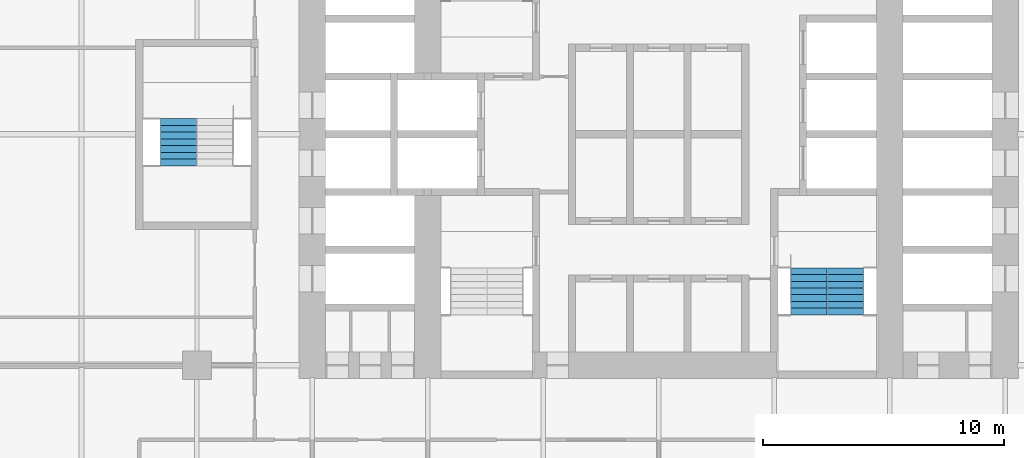
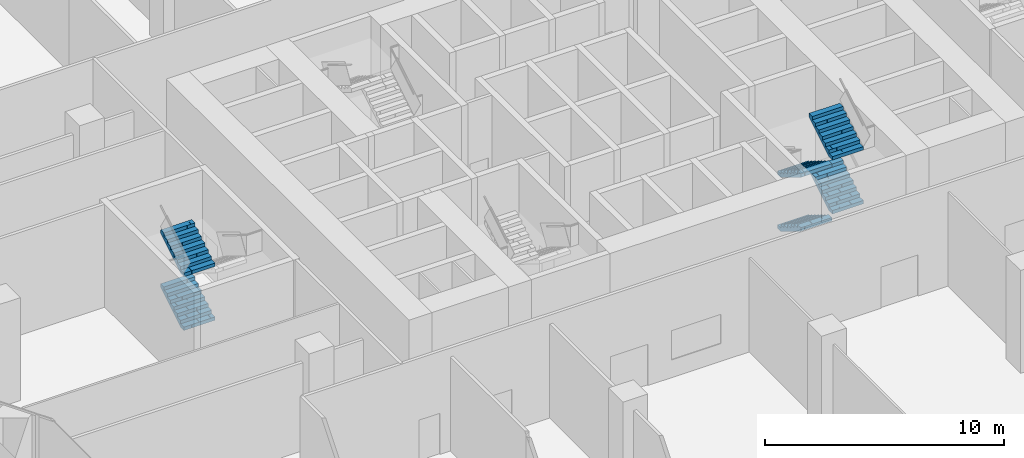
# One storey, part 23 of 29: 6 stair flights, 2 elements without a shape of their own.
"""IFC4 building model written with IfcOpenShell, lengths in metres."""

from ifc_helpers import new_model, si_unit, direction, frame, origin, place, context, subcontext, project, spatial, polyline, outline, extrude, material, type_object, element, aggregate, save


model = new_model("IFC4")

# Units and contexts
model_context = context("Model", 3, precision=1e-05, world=origin(), true_north=direction((0.0, 1.0)))
body_context = subcontext(model_context, "Body", "Model", "MODEL_VIEW")
ifc_project = project(units=[si_unit("LENGTHUNIT", "METRE"), si_unit("AREAUNIT", "SQUARE_METRE"), si_unit("VOLUMEUNIT", "CUBIC_METRE"), si_unit("PLANEANGLEUNIT", "RADIAN"), si_unit("MASSUNIT", "GRAM", prefix="KILO")], contexts=[model_context])

# Site, building, storey
site_placement = place(None, origin())
site = spatial("IfcSite", under=ifc_project, at=site_placement, CompositionType="ELEMENT")
building_placement = place(site_placement, origin())
building = spatial("IfcBuilding", under=site, at=building_placement, Name="Kolab Exchange Tower", CompositionType="ELEMENT")
storey_placement = place(building_placement, frame((0.0, 0.0, 33.39990234375)))
storey = spatial("IfcBuildingStorey", under=building, at=storey_placement, Name="L06", CompositionType="ELEMENT", Elevation=33.39990234375)

# Stair, stair flights
ifc_material = material(Name="Concrete C50/60", Category="concrete")
stair_type_1 = type_object("IfcStairType", Name="STAIR ST2 RISER 171.9", PredefinedType="DOUBLE_RETURN_STAIR", material=ifc_material)
stair_1_placement = place(storey_placement, origin())
stair_1 = element("IfcStair", 1, at=stair_1_placement, inside=storey, type_object=stair_type_1, Name="Stair 2", PredefinedType="DOUBLE_RETURN_STAIR")
stair_flight_type = type_object("IfcStairFlightType", Name="STAIR FLIGHT 1500 RISER 171.9", PredefinedType="STRAIGHT", material=ifc_material)
stair_flight_1_placement = place(storey_placement, frame((6.239990234375, -5.550048828125, 0.0), z_axis=(0.0, 0.0, 1.0), x_axis=(0.0, -1.0, 0.0)))
stair_flight_1 = element("IfcStairFlight", 2, at=stair_flight_1_placement, type_object=stair_flight_type, Name="ST2 flight 1", NumberOfRisers=8, NumberOfTreads=7, PredefinedType="STRAIGHT", RiserHeight=0.171875, TreadLength=0.28, context=body_context, shape_type="SweptSolid", body=[
    extrude(outline(polyline([(0.0, 0.0), (0.0, 0.171875), (0.280029296875, 0.171875), (0.280029296875, 0.34375), (0.56005859375, 0.34375), (0.56005859375, 0.515625), (0.840087890625, 0.515625), (0.840087890625, 0.6875), (1.1201171875, 0.6875), (1.1201171875, 0.859375), (1.39990234375, 0.859375), (1.39990234375, 1.03125), (1.679931640625, 1.03125), (1.679931640625, 1.203125), (1.9599609375, 1.203125), (1.9599609375, 1.375), (1.9599609375, 1.02734375), (0.28662109375, 0.0), (0.0, 0.0)])), frame((0.0, 0.75, 0.0), z_axis=(0.0, -1.0, 0.0), x_axis=(1.0, 0.0, 0.0)), (0.0, 0.0, 1.0), 0.185791015625),
    extrude(outline(polyline([(0.0, 0.0), (0.0, 0.171875), (0.280029296875, 0.171875), (0.280029296875, 0.34375), (0.56005859375, 0.34375), (0.56005859375, 0.515625), (0.840087890625, 0.515625), (0.840087890625, 0.6875), (1.1201171875, 0.6875), (1.1201171875, 0.859375), (1.39990234375, 0.859375), (1.39990234375, 1.03125), (1.679931640625, 1.03125), (1.679931640625, 1.203125), (1.9599609375, 1.203125), (1.9599609375, 1.375), (1.9599609375, 1.02734375), (0.28662109375, 0.0), (0.0, 0.0)])), frame((0.0, 0.562255859375, 0.0), z_axis=(0.0, -1.0, 0.0), x_axis=(1.0, 0.0, 0.0)), (0.0, 0.0, 1.0), 0.185791015625),
    extrude(outline(polyline([(0.0, 0.0), (0.0, 0.171875), (0.280029296875, 0.171875), (0.280029296875, 0.34375), (0.56005859375, 0.34375), (0.56005859375, 0.515625), (0.840087890625, 0.515625), (0.840087890625, 0.6875), (1.1201171875, 0.6875), (1.1201171875, 0.859375), (1.39990234375, 0.859375), (1.39990234375, 1.03125), (1.679931640625, 1.03125), (1.679931640625, 1.203125), (1.9599609375, 1.203125), (1.9599609375, 1.375), (1.9599609375, 1.02734375), (0.28662109375, 0.0), (0.0, 0.0)])), frame((0.0, 0.37451171875, 0.0), z_axis=(0.0, -1.0, 0.0), x_axis=(1.0, 0.0, 0.0)), (0.0, 0.0, 1.0), 0.185791015625),
    extrude(outline(polyline([(0.0, 0.0), (0.0, 0.171875), (0.280029296875, 0.171875), (0.280029296875, 0.34375), (0.56005859375, 0.34375), (0.56005859375, 0.515625), (0.840087890625, 0.515625), (0.840087890625, 0.6875), (1.1201171875, 0.6875), (1.1201171875, 0.859375), (1.39990234375, 0.859375), (1.39990234375, 1.03125), (1.679931640625, 1.03125), (1.679931640625, 1.203125), (1.9599609375, 1.203125), (1.9599609375, 1.375), (1.9599609375, 1.02734375), (0.28662109375, 0.0), (0.0, 0.0)])), frame((0.0, 0.186767578125, 0.0), z_axis=(0.0, -1.0, 0.0), x_axis=(1.0, 0.0, 0.0)), (0.0, 0.0, 1.0), 0.185791015625),
    extrude(outline(polyline([(0.0, 0.0), (0.0, 0.171875), (0.280029296875, 0.171875), (0.280029296875, 0.34375), (0.56005859375, 0.34375), (0.56005859375, 0.515625), (0.840087890625, 0.515625), (0.840087890625, 0.6875), (1.1201171875, 0.6875), (1.1201171875, 0.859375), (1.39990234375, 0.859375), (1.39990234375, 1.03125), (1.679931640625, 1.03125), (1.679931640625, 1.203125), (1.9599609375, 1.203125), (1.9599609375, 1.375), (1.9599609375, 1.02734375), (0.28662109375, 0.0), (0.0, 0.0)])), frame((0.0, -0.0009765625, 0.0), z_axis=(0.0, -1.0, 0.0), x_axis=(1.0, 0.0, 0.0)), (0.0, 0.0, 1.0), 0.185791015625),
    extrude(outline(polyline([(0.0, 0.0), (0.0, 0.171875), (0.280029296875, 0.171875), (0.280029296875, 0.34375), (0.56005859375, 0.34375), (0.56005859375, 0.515625), (0.840087890625, 0.515625), (0.840087890625, 0.6875), (1.1201171875, 0.6875), (1.1201171875, 0.859375), (1.39990234375, 0.859375), (1.39990234375, 1.03125), (1.679931640625, 1.03125), (1.679931640625, 1.203125), (1.9599609375, 1.203125), (1.9599609375, 1.375), (1.9599609375, 1.02734375), (0.28662109375, 0.0), (0.0, 0.0)])), frame((0.0, -0.188720703125, 0.0), z_axis=(0.0, -1.0, 0.0), x_axis=(1.0, 0.0, 0.0)), (0.0, 0.0, 1.0), 0.185791015625),
    extrude(outline(polyline([(0.0, 0.0), (0.0, 0.171875), (0.280029296875, 0.171875), (0.280029296875, 0.34375), (0.56005859375, 0.34375), (0.56005859375, 0.515625), (0.840087890625, 0.515625), (0.840087890625, 0.6875), (1.1201171875, 0.6875), (1.1201171875, 0.859375), (1.39990234375, 0.859375), (1.39990234375, 1.03125), (1.679931640625, 1.03125), (1.679931640625, 1.203125), (1.9599609375, 1.203125), (1.9599609375, 1.375), (1.9599609375, 1.02734375), (0.28662109375, 0.0), (0.0, 0.0)])), frame((0.0, -0.37646484375, 0.0), z_axis=(0.0, -1.0, 0.0), x_axis=(1.0, 0.0, 0.0)), (0.0, 0.0, 1.0), 0.185791015625),
    extrude(outline(polyline([(0.0, 0.0), (0.0, 0.171875), (0.280029296875, 0.171875), (0.280029296875, 0.34375), (0.56005859375, 0.34375), (0.56005859375, 0.515625), (0.840087890625, 0.515625), (0.840087890625, 0.6875), (1.1201171875, 0.6875), (1.1201171875, 0.859375), (1.39990234375, 0.859375), (1.39990234375, 1.03125), (1.679931640625, 1.03125), (1.679931640625, 1.203125), (1.9599609375, 1.203125), (1.9599609375, 1.375), (1.9599609375, 1.02734375), (0.28662109375, 0.0), (0.0, 0.0)])), frame((0.0, -0.564208984375, 0.0), z_axis=(0.0, -1.0, 0.0), x_axis=(1.0, 0.0, 0.0)), (0.0, 0.0, 1.0), 0.185791015625),
])
stair_flight_2_placement = place(storey_placement, frame((7.760009765625, -7.510009765625, 1.375), z_axis=(0.0, 0.0, 1.0), x_axis=(0.0, 1.0, 0.0)))
stair_flight_2 = element("IfcStairFlight", 3, at=stair_flight_2_placement, type_object=stair_flight_type, Name="ST2 flight 2", NumberOfRisers=8, NumberOfTreads=7, PredefinedType="STRAIGHT", RiserHeight=0.171875, TreadLength=0.28, context=body_context, shape_type="SweptSolid", body=[
    extrude(outline(polyline([(0.0, 0.0), (0.0, 0.171875), (0.280029296875, 0.171875), (0.280029296875, 0.34375), (0.56005859375, 0.34375), (0.56005859375, 0.515625), (0.840087890625, 0.515625), (0.840087890625, 0.6875), (1.1201171875, 0.6875), (1.1201171875, 0.859375), (1.39990234375, 0.859375), (1.39990234375, 1.03125), (1.679931640625, 1.03125), (1.679931640625, 1.203125), (1.9599609375, 1.203125), (1.9599609375, 1.375), (1.9599609375, 1.02734375), (0.28662109375, 0.0), (0.0, 0.0)])), frame((0.0, 0.75, 0.0), z_axis=(0.0, -1.0, 0.0), x_axis=(1.0, 0.0, 0.0)), (0.0, 0.0, 1.0), 0.185791015625),
    extrude(outline(polyline([(0.0, 0.0), (0.0, 0.171875), (0.280029296875, 0.171875), (0.280029296875, 0.34375), (0.56005859375, 0.34375), (0.56005859375, 0.515625), (0.840087890625, 0.515625), (0.840087890625, 0.6875), (1.1201171875, 0.6875), (1.1201171875, 0.859375), (1.39990234375, 0.859375), (1.39990234375, 1.03125), (1.679931640625, 1.03125), (1.679931640625, 1.203125), (1.9599609375, 1.203125), (1.9599609375, 1.375), (1.9599609375, 1.02734375), (0.28662109375, 0.0), (0.0, 0.0)])), frame((0.0, 0.562255859375, 0.0), z_axis=(0.0, -1.0, 0.0), x_axis=(1.0, 0.0, 0.0)), (0.0, 0.0, 1.0), 0.185791015625),
    extrude(outline(polyline([(0.0, 0.0), (0.0, 0.171875), (0.280029296875, 0.171875), (0.280029296875, 0.34375), (0.56005859375, 0.34375), (0.56005859375, 0.515625), (0.840087890625, 0.515625), (0.840087890625, 0.6875), (1.1201171875, 0.6875), (1.1201171875, 0.859375), (1.39990234375, 0.859375), (1.39990234375, 1.03125), (1.679931640625, 1.03125), (1.679931640625, 1.203125), (1.9599609375, 1.203125), (1.9599609375, 1.375), (1.9599609375, 1.02734375), (0.28662109375, 0.0), (0.0, 0.0)])), frame((0.0, 0.37451171875, 0.0), z_axis=(0.0, -1.0, 0.0), x_axis=(1.0, 0.0, 0.0)), (0.0, 0.0, 1.0), 0.185791015625),
    extrude(outline(polyline([(0.0, 0.0), (0.0, 0.171875), (0.280029296875, 0.171875), (0.280029296875, 0.34375), (0.56005859375, 0.34375), (0.56005859375, 0.515625), (0.840087890625, 0.515625), (0.840087890625, 0.6875), (1.1201171875, 0.6875), (1.1201171875, 0.859375), (1.39990234375, 0.859375), (1.39990234375, 1.03125), (1.679931640625, 1.03125), (1.679931640625, 1.203125), (1.9599609375, 1.203125), (1.9599609375, 1.375), (1.9599609375, 1.02734375), (0.28662109375, 0.0), (0.0, 0.0)])), frame((0.0, 0.186767578125, 0.0), z_axis=(0.0, -1.0, 0.0), x_axis=(1.0, 0.0, 0.0)), (0.0, 0.0, 1.0), 0.185791015625),
    extrude(outline(polyline([(0.0, 0.0), (0.0, 0.171875), (0.280029296875, 0.171875), (0.280029296875, 0.34375), (0.56005859375, 0.34375), (0.56005859375, 0.515625), (0.840087890625, 0.515625), (0.840087890625, 0.6875), (1.1201171875, 0.6875), (1.1201171875, 0.859375), (1.39990234375, 0.859375), (1.39990234375, 1.03125), (1.679931640625, 1.03125), (1.679931640625, 1.203125), (1.9599609375, 1.203125), (1.9599609375, 1.375), (1.9599609375, 1.02734375), (0.28662109375, 0.0), (0.0, 0.0)])), frame((0.0, -0.0009765625, 0.0), z_axis=(0.0, -1.0, 0.0), x_axis=(1.0, 0.0, 0.0)), (0.0, 0.0, 1.0), 0.185791015625),
    extrude(outline(polyline([(0.0, 0.0), (0.0, 0.171875), (0.280029296875, 0.171875), (0.280029296875, 0.34375), (0.56005859375, 0.34375), (0.56005859375, 0.515625), (0.840087890625, 0.515625), (0.840087890625, 0.6875), (1.1201171875, 0.6875), (1.1201171875, 0.859375), (1.39990234375, 0.859375), (1.39990234375, 1.03125), (1.679931640625, 1.03125), (1.679931640625, 1.203125), (1.9599609375, 1.203125), (1.9599609375, 1.375), (1.9599609375, 1.02734375), (0.28662109375, 0.0), (0.0, 0.0)])), frame((0.0, -0.188720703125, 0.0), z_axis=(0.0, -1.0, 0.0), x_axis=(1.0, 0.0, 0.0)), (0.0, 0.0, 1.0), 0.185791015625),
    extrude(outline(polyline([(0.0, 0.0), (0.0, 0.171875), (0.280029296875, 0.171875), (0.280029296875, 0.34375), (0.56005859375, 0.34375), (0.56005859375, 0.515625), (0.840087890625, 0.515625), (0.840087890625, 0.6875), (1.1201171875, 0.6875), (1.1201171875, 0.859375), (1.39990234375, 0.859375), (1.39990234375, 1.03125), (1.679931640625, 1.03125), (1.679931640625, 1.203125), (1.9599609375, 1.203125), (1.9599609375, 1.375), (1.9599609375, 1.02734375), (0.28662109375, 0.0), (0.0, 0.0)])), frame((0.0, -0.37646484375, 0.0), z_axis=(0.0, -1.0, 0.0), x_axis=(1.0, 0.0, 0.0)), (0.0, 0.0, 1.0), 0.185791015625),
    extrude(outline(polyline([(0.0, 0.0), (0.0, 0.171875), (0.280029296875, 0.171875), (0.280029296875, 0.34375), (0.56005859375, 0.34375), (0.56005859375, 0.515625), (0.840087890625, 0.515625), (0.840087890625, 0.6875), (1.1201171875, 0.6875), (1.1201171875, 0.859375), (1.39990234375, 0.859375), (1.39990234375, 1.03125), (1.679931640625, 1.03125), (1.679931640625, 1.203125), (1.9599609375, 1.203125), (1.9599609375, 1.375), (1.9599609375, 1.02734375), (0.28662109375, 0.0), (0.0, 0.0)])), frame((0.0, -0.564208984375, 0.0), z_axis=(0.0, -1.0, 0.0), x_axis=(1.0, 0.0, 0.0)), (0.0, 0.0, 1.0), 0.185791015625),
])
stair_flight_3_placement = place(storey_placement, frame((6.239990234375, -5.550048828125, 2.75), z_axis=(0.0, 0.0, 1.0), x_axis=(0.0, -1.0, 0.0)))
stair_flight_3 = element("IfcStairFlight", 4, at=stair_flight_3_placement, type_object=stair_flight_type, Name="ST2 flight 3", NumberOfRisers=8, NumberOfTreads=7, PredefinedType="STRAIGHT", RiserHeight=0.171875, TreadLength=0.28, context=body_context, shape_type="SweptSolid", body=[
    extrude(outline(polyline([(0.0, 0.0), (0.0, 0.171875), (0.280029296875, 0.171875), (0.280029296875, 0.34375), (0.56005859375, 0.34375), (0.56005859375, 0.515625), (0.840087890625, 0.515625), (0.840087890625, 0.6875), (1.1201171875, 0.6875), (1.1201171875, 0.859375), (1.39990234375, 0.859375), (1.39990234375, 1.03125), (1.679931640625, 1.03125), (1.679931640625, 1.203125), (1.9599609375, 1.203125), (1.9599609375, 1.375), (1.9599609375, 1.02734375), (0.28662109375, 0.0), (0.0, 0.0)])), frame((0.0, 0.75, 0.0), z_axis=(0.0, -1.0, 0.0), x_axis=(1.0, 0.0, 0.0)), (0.0, 0.0, 1.0), 0.185791015625),
    extrude(outline(polyline([(0.0, 0.0), (0.0, 0.171875), (0.280029296875, 0.171875), (0.280029296875, 0.34375), (0.56005859375, 0.34375), (0.56005859375, 0.515625), (0.840087890625, 0.515625), (0.840087890625, 0.6875), (1.1201171875, 0.6875), (1.1201171875, 0.859375), (1.39990234375, 0.859375), (1.39990234375, 1.03125), (1.679931640625, 1.03125), (1.679931640625, 1.203125), (1.9599609375, 1.203125), (1.9599609375, 1.375), (1.9599609375, 1.02734375), (0.28662109375, 0.0), (0.0, 0.0)])), frame((0.0, 0.562255859375, 0.0), z_axis=(0.0, -1.0, 0.0), x_axis=(1.0, 0.0, 0.0)), (0.0, 0.0, 1.0), 0.185791015625),
    extrude(outline(polyline([(0.0, 0.0), (0.0, 0.171875), (0.280029296875, 0.171875), (0.280029296875, 0.34375), (0.56005859375, 0.34375), (0.56005859375, 0.515625), (0.840087890625, 0.515625), (0.840087890625, 0.6875), (1.1201171875, 0.6875), (1.1201171875, 0.859375), (1.39990234375, 0.859375), (1.39990234375, 1.03125), (1.679931640625, 1.03125), (1.679931640625, 1.203125), (1.9599609375, 1.203125), (1.9599609375, 1.375), (1.9599609375, 1.02734375), (0.28662109375, 0.0), (0.0, 0.0)])), frame((0.0, 0.37451171875, 0.0), z_axis=(0.0, -1.0, 0.0), x_axis=(1.0, 0.0, 0.0)), (0.0, 0.0, 1.0), 0.185791015625),
    extrude(outline(polyline([(0.0, 0.0), (0.0, 0.171875), (0.280029296875, 0.171875), (0.280029296875, 0.34375), (0.56005859375, 0.34375), (0.56005859375, 0.515625), (0.840087890625, 0.515625), (0.840087890625, 0.6875), (1.1201171875, 0.6875), (1.1201171875, 0.859375), (1.39990234375, 0.859375), (1.39990234375, 1.03125), (1.679931640625, 1.03125), (1.679931640625, 1.203125), (1.9599609375, 1.203125), (1.9599609375, 1.375), (1.9599609375, 1.02734375), (0.28662109375, 0.0), (0.0, 0.0)])), frame((0.0, 0.186767578125, 0.0), z_axis=(0.0, -1.0, 0.0), x_axis=(1.0, 0.0, 0.0)), (0.0, 0.0, 1.0), 0.185791015625),
    extrude(outline(polyline([(0.0, 0.0), (0.0, 0.171875), (0.280029296875, 0.171875), (0.280029296875, 0.34375), (0.56005859375, 0.34375), (0.56005859375, 0.515625), (0.840087890625, 0.515625), (0.840087890625, 0.6875), (1.1201171875, 0.6875), (1.1201171875, 0.859375), (1.39990234375, 0.859375), (1.39990234375, 1.03125), (1.679931640625, 1.03125), (1.679931640625, 1.203125), (1.9599609375, 1.203125), (1.9599609375, 1.375), (1.9599609375, 1.02734375), (0.28662109375, 0.0), (0.0, 0.0)])), frame((0.0, -0.0009765625, 0.0), z_axis=(0.0, -1.0, 0.0), x_axis=(1.0, 0.0, 0.0)), (0.0, 0.0, 1.0), 0.185791015625),
    extrude(outline(polyline([(0.0, 0.0), (0.0, 0.171875), (0.280029296875, 0.171875), (0.280029296875, 0.34375), (0.56005859375, 0.34375), (0.56005859375, 0.515625), (0.840087890625, 0.515625), (0.840087890625, 0.6875), (1.1201171875, 0.6875), (1.1201171875, 0.859375), (1.39990234375, 0.859375), (1.39990234375, 1.03125), (1.679931640625, 1.03125), (1.679931640625, 1.203125), (1.9599609375, 1.203125), (1.9599609375, 1.375), (1.9599609375, 1.02734375), (0.28662109375, 0.0), (0.0, 0.0)])), frame((0.0, -0.188720703125, 0.0), z_axis=(0.0, -1.0, 0.0), x_axis=(1.0, 0.0, 0.0)), (0.0, 0.0, 1.0), 0.185791015625),
    extrude(outline(polyline([(0.0, 0.0), (0.0, 0.171875), (0.280029296875, 0.171875), (0.280029296875, 0.34375), (0.56005859375, 0.34375), (0.56005859375, 0.515625), (0.840087890625, 0.515625), (0.840087890625, 0.6875), (1.1201171875, 0.6875), (1.1201171875, 0.859375), (1.39990234375, 0.859375), (1.39990234375, 1.03125), (1.679931640625, 1.03125), (1.679931640625, 1.203125), (1.9599609375, 1.203125), (1.9599609375, 1.375), (1.9599609375, 1.02734375), (0.28662109375, 0.0), (0.0, 0.0)])), frame((0.0, -0.37646484375, 0.0), z_axis=(0.0, -1.0, 0.0), x_axis=(1.0, 0.0, 0.0)), (0.0, 0.0, 1.0), 0.185791015625),
    extrude(outline(polyline([(0.0, 0.0), (0.0, 0.171875), (0.280029296875, 0.171875), (0.280029296875, 0.34375), (0.56005859375, 0.34375), (0.56005859375, 0.515625), (0.840087890625, 0.515625), (0.840087890625, 0.6875), (1.1201171875, 0.6875), (1.1201171875, 0.859375), (1.39990234375, 0.859375), (1.39990234375, 1.03125), (1.679931640625, 1.03125), (1.679931640625, 1.203125), (1.9599609375, 1.203125), (1.9599609375, 1.375), (1.9599609375, 1.02734375), (0.28662109375, 0.0), (0.0, 0.0)])), frame((0.0, -0.564208984375, 0.0), z_axis=(0.0, -1.0, 0.0), x_axis=(1.0, 0.0, 0.0)), (0.0, 0.0, 1.0), 0.185791015625),
])
stair_flight_4_placement = place(storey_placement, frame((7.760009765625, -7.510009765625, 4.125), z_axis=(0.0, 0.0, 1.0), x_axis=(0.0, 1.0, 0.0)))
stair_flight_4 = element("IfcStairFlight", 5, at=stair_flight_4_placement, type_object=stair_flight_type, Name="ST2 flight 4", NumberOfRisers=8, NumberOfTreads=7, PredefinedType="STRAIGHT", RiserHeight=0.171875, TreadLength=0.28, context=body_context, shape_type="SweptSolid", body=[
    extrude(outline(polyline([(0.0, 0.0), (0.0, 0.171875), (0.280029296875, 0.171875), (0.280029296875, 0.34375), (0.56005859375, 0.34375), (0.56005859375, 0.515625), (0.840087890625, 0.515625), (0.840087890625, 0.6875), (1.1201171875, 0.6875), (1.1201171875, 0.859375), (1.39990234375, 0.859375), (1.39990234375, 1.03125), (1.679931640625, 1.03125), (1.679931640625, 1.203125), (1.9599609375, 1.203125), (1.9599609375, 1.375), (1.9599609375, 1.02734375), (0.28662109375, 0.0), (0.0, 0.0)])), frame((0.0, 0.75, 0.0), z_axis=(0.0, -1.0, 0.0), x_axis=(1.0, 0.0, 0.0)), (0.0, 0.0, 1.0), 0.185791015625),
    extrude(outline(polyline([(0.0, 0.0), (0.0, 0.171875), (0.280029296875, 0.171875), (0.280029296875, 0.34375), (0.56005859375, 0.34375), (0.56005859375, 0.515625), (0.840087890625, 0.515625), (0.840087890625, 0.6875), (1.1201171875, 0.6875), (1.1201171875, 0.859375), (1.39990234375, 0.859375), (1.39990234375, 1.03125), (1.679931640625, 1.03125), (1.679931640625, 1.203125), (1.9599609375, 1.203125), (1.9599609375, 1.375), (1.9599609375, 1.02734375), (0.28662109375, 0.0), (0.0, 0.0)])), frame((0.0, 0.562255859375, 0.0), z_axis=(0.0, -1.0, 0.0), x_axis=(1.0, 0.0, 0.0)), (0.0, 0.0, 1.0), 0.185791015625),
    extrude(outline(polyline([(0.0, 0.0), (0.0, 0.171875), (0.280029296875, 0.171875), (0.280029296875, 0.34375), (0.56005859375, 0.34375), (0.56005859375, 0.515625), (0.840087890625, 0.515625), (0.840087890625, 0.6875), (1.1201171875, 0.6875), (1.1201171875, 0.859375), (1.39990234375, 0.859375), (1.39990234375, 1.03125), (1.679931640625, 1.03125), (1.679931640625, 1.203125), (1.9599609375, 1.203125), (1.9599609375, 1.375), (1.9599609375, 1.02734375), (0.28662109375, 0.0), (0.0, 0.0)])), frame((0.0, 0.37451171875, 0.0), z_axis=(0.0, -1.0, 0.0), x_axis=(1.0, 0.0, 0.0)), (0.0, 0.0, 1.0), 0.185791015625),
    extrude(outline(polyline([(0.0, 0.0), (0.0, 0.171875), (0.280029296875, 0.171875), (0.280029296875, 0.34375), (0.56005859375, 0.34375), (0.56005859375, 0.515625), (0.840087890625, 0.515625), (0.840087890625, 0.6875), (1.1201171875, 0.6875), (1.1201171875, 0.859375), (1.39990234375, 0.859375), (1.39990234375, 1.03125), (1.679931640625, 1.03125), (1.679931640625, 1.203125), (1.9599609375, 1.203125), (1.9599609375, 1.375), (1.9599609375, 1.02734375), (0.28662109375, 0.0), (0.0, 0.0)])), frame((0.0, 0.186767578125, 0.0), z_axis=(0.0, -1.0, 0.0), x_axis=(1.0, 0.0, 0.0)), (0.0, 0.0, 1.0), 0.185791015625),
    extrude(outline(polyline([(0.0, 0.0), (0.0, 0.171875), (0.280029296875, 0.171875), (0.280029296875, 0.34375), (0.56005859375, 0.34375), (0.56005859375, 0.515625), (0.840087890625, 0.515625), (0.840087890625, 0.6875), (1.1201171875, 0.6875), (1.1201171875, 0.859375), (1.39990234375, 0.859375), (1.39990234375, 1.03125), (1.679931640625, 1.03125), (1.679931640625, 1.203125), (1.9599609375, 1.203125), (1.9599609375, 1.375), (1.9599609375, 1.02734375), (0.28662109375, 0.0), (0.0, 0.0)])), frame((0.0, -0.0009765625, 0.0), z_axis=(0.0, -1.0, 0.0), x_axis=(1.0, 0.0, 0.0)), (0.0, 0.0, 1.0), 0.185791015625),
    extrude(outline(polyline([(0.0, 0.0), (0.0, 0.171875), (0.280029296875, 0.171875), (0.280029296875, 0.34375), (0.56005859375, 0.34375), (0.56005859375, 0.515625), (0.840087890625, 0.515625), (0.840087890625, 0.6875), (1.1201171875, 0.6875), (1.1201171875, 0.859375), (1.39990234375, 0.859375), (1.39990234375, 1.03125), (1.679931640625, 1.03125), (1.679931640625, 1.203125), (1.9599609375, 1.203125), (1.9599609375, 1.375), (1.9599609375, 1.02734375), (0.28662109375, 0.0), (0.0, 0.0)])), frame((0.0, -0.188720703125, 0.0), z_axis=(0.0, -1.0, 0.0), x_axis=(1.0, 0.0, 0.0)), (0.0, 0.0, 1.0), 0.185791015625),
    extrude(outline(polyline([(0.0, 0.0), (0.0, 0.171875), (0.280029296875, 0.171875), (0.280029296875, 0.34375), (0.56005859375, 0.34375), (0.56005859375, 0.515625), (0.840087890625, 0.515625), (0.840087890625, 0.6875), (1.1201171875, 0.6875), (1.1201171875, 0.859375), (1.39990234375, 0.859375), (1.39990234375, 1.03125), (1.679931640625, 1.03125), (1.679931640625, 1.203125), (1.9599609375, 1.203125), (1.9599609375, 1.375), (1.9599609375, 1.02734375), (0.28662109375, 0.0), (0.0, 0.0)])), frame((0.0, -0.37646484375, 0.0), z_axis=(0.0, -1.0, 0.0), x_axis=(1.0, 0.0, 0.0)), (0.0, 0.0, 1.0), 0.185791015625),
    extrude(outline(polyline([(0.0, 0.0), (0.0, 0.171875), (0.280029296875, 0.171875), (0.280029296875, 0.34375), (0.56005859375, 0.34375), (0.56005859375, 0.515625), (0.840087890625, 0.515625), (0.840087890625, 0.6875), (1.1201171875, 0.6875), (1.1201171875, 0.859375), (1.39990234375, 0.859375), (1.39990234375, 1.03125), (1.679931640625, 1.03125), (1.679931640625, 1.203125), (1.9599609375, 1.203125), (1.9599609375, 1.375), (1.9599609375, 1.02734375), (0.28662109375, 0.0), (0.0, 0.0)])), frame((0.0, -0.564208984375, 0.0), z_axis=(0.0, -1.0, 0.0), x_axis=(1.0, 0.0, 0.0)), (0.0, 0.0, 1.0), 0.185791015625),
])
aggregate(stair_1, [stair_flight_1, stair_flight_2, stair_flight_3, stair_flight_4])

stair_type_2 = type_object("IfcStairType", Name="STAIR ST5 RISER 171.9", PredefinedType="DOUBLE_RETURN_STAIR", material=ifc_material)
stair_2_placement = place(storey_placement, origin())
stair_2 = element("IfcStair", 6, at=stair_2_placement, inside=storey, type_object=stair_type_2, Name="Stair 5", PredefinedType="DOUBLE_RETURN_STAIR")
stair_flight_5_placement = place(storey_placement, frame((-19.9599609375, -1.31005859375, 1.375), z_axis=(0.0, 0.0, 1.0), x_axis=(0.0, 1.0, 0.0)))
stair_flight_5 = element("IfcStairFlight", 7, at=stair_flight_5_placement, type_object=stair_flight_type, Name="ST5 flight 2", NumberOfRisers=8, NumberOfTreads=7, PredefinedType="STRAIGHT", RiserHeight=0.171875, TreadLength=0.28, context=body_context, shape_type="SweptSolid", body=[
    extrude(outline(polyline([(0.0, 0.0), (0.0, 0.171875), (0.280029296875, 0.171875), (0.280029296875, 0.34375), (0.56005859375, 0.34375), (0.56005859375, 0.515625), (0.840087890625, 0.515625), (0.840087890625, 0.6875), (1.1201171875, 0.6875), (1.1201171875, 0.859375), (1.39990234375, 0.859375), (1.39990234375, 1.03125), (1.679931640625, 1.03125), (1.679931640625, 1.203125), (1.9599609375, 1.203125), (1.9599609375, 1.375), (1.9599609375, 1.02734375), (0.28662109375, 0.0), (0.0, 0.0)])), frame((0.0, 0.75, 0.0), z_axis=(0.0, -1.0, 0.0), x_axis=(1.0, 0.0, 0.0)), (0.0, 0.0, 1.0), 0.185791015625),
    extrude(outline(polyline([(0.0, 0.0), (0.0, 0.171875), (0.280029296875, 0.171875), (0.280029296875, 0.34375), (0.56005859375, 0.34375), (0.56005859375, 0.515625), (0.840087890625, 0.515625), (0.840087890625, 0.6875), (1.1201171875, 0.6875), (1.1201171875, 0.859375), (1.39990234375, 0.859375), (1.39990234375, 1.03125), (1.679931640625, 1.03125), (1.679931640625, 1.203125), (1.9599609375, 1.203125), (1.9599609375, 1.375), (1.9599609375, 1.02734375), (0.28662109375, 0.0), (0.0, 0.0)])), frame((0.0, 0.562255859375, 0.0), z_axis=(0.0, -1.0, 0.0), x_axis=(1.0, 0.0, 0.0)), (0.0, 0.0, 1.0), 0.185791015625),
    extrude(outline(polyline([(0.0, 0.0), (0.0, 0.171875), (0.280029296875, 0.171875), (0.280029296875, 0.34375), (0.56005859375, 0.34375), (0.56005859375, 0.515625), (0.840087890625, 0.515625), (0.840087890625, 0.6875), (1.1201171875, 0.6875), (1.1201171875, 0.859375), (1.39990234375, 0.859375), (1.39990234375, 1.03125), (1.679931640625, 1.03125), (1.679931640625, 1.203125), (1.9599609375, 1.203125), (1.9599609375, 1.375), (1.9599609375, 1.02734375), (0.28662109375, 0.0), (0.0, 0.0)])), frame((0.0, 0.37451171875, 0.0), z_axis=(0.0, -1.0, 0.0), x_axis=(1.0, 0.0, 0.0)), (0.0, 0.0, 1.0), 0.185791015625),
    extrude(outline(polyline([(0.0, 0.0), (0.0, 0.171875), (0.280029296875, 0.171875), (0.280029296875, 0.34375), (0.56005859375, 0.34375), (0.56005859375, 0.515625), (0.840087890625, 0.515625), (0.840087890625, 0.6875), (1.1201171875, 0.6875), (1.1201171875, 0.859375), (1.39990234375, 0.859375), (1.39990234375, 1.03125), (1.679931640625, 1.03125), (1.679931640625, 1.203125), (1.9599609375, 1.203125), (1.9599609375, 1.375), (1.9599609375, 1.02734375), (0.28662109375, 0.0), (0.0, 0.0)])), frame((0.0, 0.186767578125, 0.0), z_axis=(0.0, -1.0, 0.0), x_axis=(1.0, 0.0, 0.0)), (0.0, 0.0, 1.0), 0.185791015625),
    extrude(outline(polyline([(0.0, 0.0), (0.0, 0.171875), (0.280029296875, 0.171875), (0.280029296875, 0.34375), (0.56005859375, 0.34375), (0.56005859375, 0.515625), (0.840087890625, 0.515625), (0.840087890625, 0.6875), (1.1201171875, 0.6875), (1.1201171875, 0.859375), (1.39990234375, 0.859375), (1.39990234375, 1.03125), (1.679931640625, 1.03125), (1.679931640625, 1.203125), (1.9599609375, 1.203125), (1.9599609375, 1.375), (1.9599609375, 1.02734375), (0.28662109375, 0.0), (0.0, 0.0)])), frame((0.0, -0.0009765625, 0.0), z_axis=(0.0, -1.0, 0.0), x_axis=(1.0, 0.0, 0.0)), (0.0, 0.0, 1.0), 0.185791015625),
    extrude(outline(polyline([(0.0, 0.0), (0.0, 0.171875), (0.280029296875, 0.171875), (0.280029296875, 0.34375), (0.56005859375, 0.34375), (0.56005859375, 0.515625), (0.840087890625, 0.515625), (0.840087890625, 0.6875), (1.1201171875, 0.6875), (1.1201171875, 0.859375), (1.39990234375, 0.859375), (1.39990234375, 1.03125), (1.679931640625, 1.03125), (1.679931640625, 1.203125), (1.9599609375, 1.203125), (1.9599609375, 1.375), (1.9599609375, 1.02734375), (0.28662109375, 0.0), (0.0, 0.0)])), frame((0.0, -0.188720703125, 0.0), z_axis=(0.0, -1.0, 0.0), x_axis=(1.0, 0.0, 0.0)), (0.0, 0.0, 1.0), 0.185791015625),
    extrude(outline(polyline([(0.0, 0.0), (0.0, 0.171875), (0.280029296875, 0.171875), (0.280029296875, 0.34375), (0.56005859375, 0.34375), (0.56005859375, 0.515625), (0.840087890625, 0.515625), (0.840087890625, 0.6875), (1.1201171875, 0.6875), (1.1201171875, 0.859375), (1.39990234375, 0.859375), (1.39990234375, 1.03125), (1.679931640625, 1.03125), (1.679931640625, 1.203125), (1.9599609375, 1.203125), (1.9599609375, 1.375), (1.9599609375, 1.02734375), (0.28662109375, 0.0), (0.0, 0.0)])), frame((0.0, -0.37646484375, 0.0), z_axis=(0.0, -1.0, 0.0), x_axis=(1.0, 0.0, 0.0)), (0.0, 0.0, 1.0), 0.185791015625),
    extrude(outline(polyline([(0.0, 0.0), (0.0, 0.171875), (0.280029296875, 0.171875), (0.280029296875, 0.34375), (0.56005859375, 0.34375), (0.56005859375, 0.515625), (0.840087890625, 0.515625), (0.840087890625, 0.6875), (1.1201171875, 0.6875), (1.1201171875, 0.859375), (1.39990234375, 0.859375), (1.39990234375, 1.03125), (1.679931640625, 1.03125), (1.679931640625, 1.203125), (1.9599609375, 1.203125), (1.9599609375, 1.375), (1.9599609375, 1.02734375), (0.28662109375, 0.0), (0.0, 0.0)])), frame((0.0, -0.564208984375, 0.0), z_axis=(0.0, -1.0, 0.0), x_axis=(1.0, 0.0, 0.0)), (0.0, 0.0, 1.0), 0.185791015625),
])
stair_flight_6_placement = place(storey_placement, frame((-19.9599609375, -1.31005859375, 4.125), z_axis=(0.0, 0.0, 1.0), x_axis=(0.0, 1.0, 0.0)))
stair_flight_6 = element("IfcStairFlight", 8, at=stair_flight_6_placement, type_object=stair_flight_type, Name="ST5 flight 4", NumberOfRisers=8, NumberOfTreads=7, PredefinedType="STRAIGHT", RiserHeight=0.171875, TreadLength=0.28, context=body_context, shape_type="SweptSolid", body=[
    extrude(outline(polyline([(0.0, 0.0), (0.0, 0.171875), (0.280029296875, 0.171875), (0.280029296875, 0.34375), (0.56005859375, 0.34375), (0.56005859375, 0.515625), (0.840087890625, 0.515625), (0.840087890625, 0.6875), (1.1201171875, 0.6875), (1.1201171875, 0.859375), (1.39990234375, 0.859375), (1.39990234375, 1.03125), (1.679931640625, 1.03125), (1.679931640625, 1.203125), (1.9599609375, 1.203125), (1.9599609375, 1.375), (1.9599609375, 1.02734375), (0.28662109375, 0.0), (0.0, 0.0)])), frame((0.0, 0.75, 0.0), z_axis=(0.0, -1.0, 0.0), x_axis=(1.0, 0.0, 0.0)), (0.0, 0.0, 1.0), 0.185791015625),
    extrude(outline(polyline([(0.0, 0.0), (0.0, 0.171875), (0.280029296875, 0.171875), (0.280029296875, 0.34375), (0.56005859375, 0.34375), (0.56005859375, 0.515625), (0.840087890625, 0.515625), (0.840087890625, 0.6875), (1.1201171875, 0.6875), (1.1201171875, 0.859375), (1.39990234375, 0.859375), (1.39990234375, 1.03125), (1.679931640625, 1.03125), (1.679931640625, 1.203125), (1.9599609375, 1.203125), (1.9599609375, 1.375), (1.9599609375, 1.02734375), (0.28662109375, 0.0), (0.0, 0.0)])), frame((0.0, 0.562255859375, 0.0), z_axis=(0.0, -1.0, 0.0), x_axis=(1.0, 0.0, 0.0)), (0.0, 0.0, 1.0), 0.185791015625),
    extrude(outline(polyline([(0.0, 0.0), (0.0, 0.171875), (0.280029296875, 0.171875), (0.280029296875, 0.34375), (0.56005859375, 0.34375), (0.56005859375, 0.515625), (0.840087890625, 0.515625), (0.840087890625, 0.6875), (1.1201171875, 0.6875), (1.1201171875, 0.859375), (1.39990234375, 0.859375), (1.39990234375, 1.03125), (1.679931640625, 1.03125), (1.679931640625, 1.203125), (1.9599609375, 1.203125), (1.9599609375, 1.375), (1.9599609375, 1.02734375), (0.28662109375, 0.0), (0.0, 0.0)])), frame((0.0, 0.37451171875, 0.0), z_axis=(0.0, -1.0, 0.0), x_axis=(1.0, 0.0, 0.0)), (0.0, 0.0, 1.0), 0.185791015625),
    extrude(outline(polyline([(0.0, 0.0), (0.0, 0.171875), (0.280029296875, 0.171875), (0.280029296875, 0.34375), (0.56005859375, 0.34375), (0.56005859375, 0.515625), (0.840087890625, 0.515625), (0.840087890625, 0.6875), (1.1201171875, 0.6875), (1.1201171875, 0.859375), (1.39990234375, 0.859375), (1.39990234375, 1.03125), (1.679931640625, 1.03125), (1.679931640625, 1.203125), (1.9599609375, 1.203125), (1.9599609375, 1.375), (1.9599609375, 1.02734375), (0.28662109375, 0.0), (0.0, 0.0)])), frame((0.0, 0.186767578125, 0.0), z_axis=(0.0, -1.0, 0.0), x_axis=(1.0, 0.0, 0.0)), (0.0, 0.0, 1.0), 0.185791015625),
    extrude(outline(polyline([(0.0, 0.0), (0.0, 0.171875), (0.280029296875, 0.171875), (0.280029296875, 0.34375), (0.56005859375, 0.34375), (0.56005859375, 0.515625), (0.840087890625, 0.515625), (0.840087890625, 0.6875), (1.1201171875, 0.6875), (1.1201171875, 0.859375), (1.39990234375, 0.859375), (1.39990234375, 1.03125), (1.679931640625, 1.03125), (1.679931640625, 1.203125), (1.9599609375, 1.203125), (1.9599609375, 1.375), (1.9599609375, 1.02734375), (0.28662109375, 0.0), (0.0, 0.0)])), frame((0.0, -0.0009765625, 0.0), z_axis=(0.0, -1.0, 0.0), x_axis=(1.0, 0.0, 0.0)), (0.0, 0.0, 1.0), 0.185791015625),
    extrude(outline(polyline([(0.0, 0.0), (0.0, 0.171875), (0.280029296875, 0.171875), (0.280029296875, 0.34375), (0.56005859375, 0.34375), (0.56005859375, 0.515625), (0.840087890625, 0.515625), (0.840087890625, 0.6875), (1.1201171875, 0.6875), (1.1201171875, 0.859375), (1.39990234375, 0.859375), (1.39990234375, 1.03125), (1.679931640625, 1.03125), (1.679931640625, 1.203125), (1.9599609375, 1.203125), (1.9599609375, 1.375), (1.9599609375, 1.02734375), (0.28662109375, 0.0), (0.0, 0.0)])), frame((0.0, -0.188720703125, 0.0), z_axis=(0.0, -1.0, 0.0), x_axis=(1.0, 0.0, 0.0)), (0.0, 0.0, 1.0), 0.185791015625),
    extrude(outline(polyline([(0.0, 0.0), (0.0, 0.171875), (0.280029296875, 0.171875), (0.280029296875, 0.34375), (0.56005859375, 0.34375), (0.56005859375, 0.515625), (0.840087890625, 0.515625), (0.840087890625, 0.6875), (1.1201171875, 0.6875), (1.1201171875, 0.859375), (1.39990234375, 0.859375), (1.39990234375, 1.03125), (1.679931640625, 1.03125), (1.679931640625, 1.203125), (1.9599609375, 1.203125), (1.9599609375, 1.375), (1.9599609375, 1.02734375), (0.28662109375, 0.0), (0.0, 0.0)])), frame((0.0, -0.37646484375, 0.0), z_axis=(0.0, -1.0, 0.0), x_axis=(1.0, 0.0, 0.0)), (0.0, 0.0, 1.0), 0.185791015625),
    extrude(outline(polyline([(0.0, 0.0), (0.0, 0.171875), (0.280029296875, 0.171875), (0.280029296875, 0.34375), (0.56005859375, 0.34375), (0.56005859375, 0.515625), (0.840087890625, 0.515625), (0.840087890625, 0.6875), (1.1201171875, 0.6875), (1.1201171875, 0.859375), (1.39990234375, 0.859375), (1.39990234375, 1.03125), (1.679931640625, 1.03125), (1.679931640625, 1.203125), (1.9599609375, 1.203125), (1.9599609375, 1.375), (1.9599609375, 1.02734375), (0.28662109375, 0.0), (0.0, 0.0)])), frame((0.0, -0.564208984375, 0.0), z_axis=(0.0, -1.0, 0.0), x_axis=(1.0, 0.0, 0.0)), (0.0, 0.0, 1.0), 0.185791015625),
])
aggregate(stair_2, [stair_flight_5, stair_flight_6])

save(model, "model.ifc")
